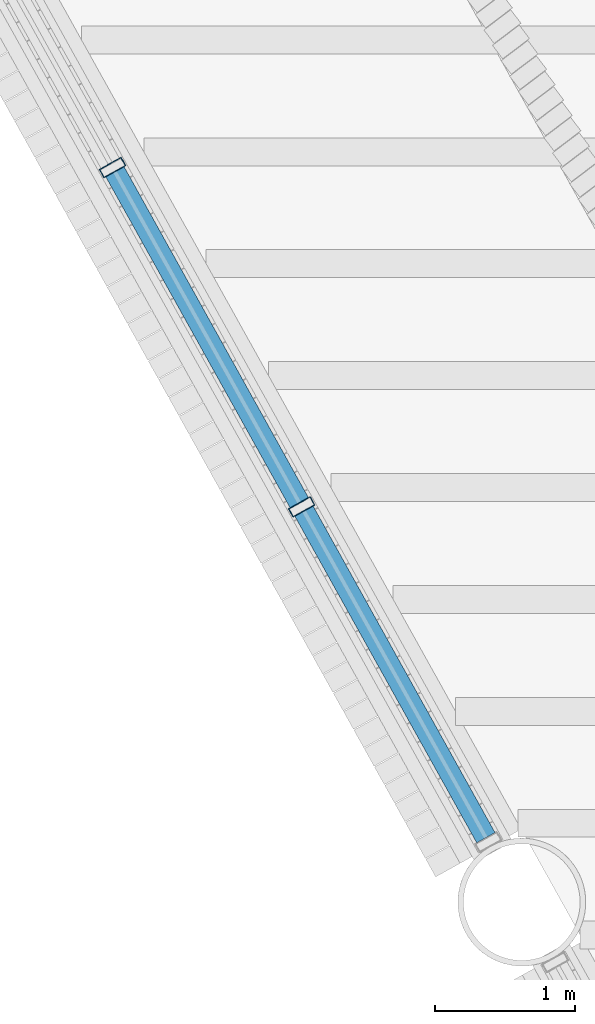
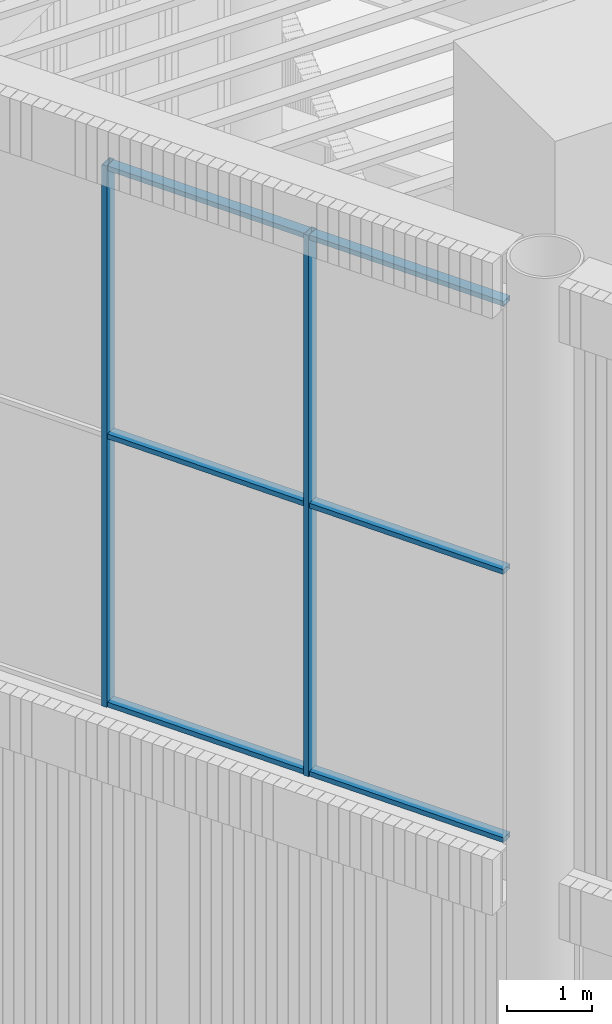
# One storey, part 13 of 117: 8 members, 1 element without a shape of its own.
"""IFC4 building model written with IfcOpenShell, lengths in metres."""

from ifc_helpers import new_model, si_unit, direction, frame, origin, origin_2d, place, context, subcontext, project, spatial, hollow_rectangle, extrude, material, layer, layer_set, material_profile, profile_set, type_object, element, aggregate, save


model = new_model("IFC4")

# Units and contexts
model_context = context("Model", 3, precision=1e-05, world=origin(), true_north=direction((0.0, 1.0)))
body_context = subcontext(model_context, "Body", "Model", "MODEL_VIEW")
ifc_project = project(units=[si_unit("LENGTHUNIT", "METRE"), si_unit("AREAUNIT", "SQUARE_METRE"), si_unit("VOLUMEUNIT", "CUBIC_METRE"), si_unit("PLANEANGLEUNIT", "RADIAN"), si_unit("MASSUNIT", "GRAM", prefix="KILO")], contexts=[model_context])

# Site, building, storey
site_placement = place(None, origin())
site = spatial("IfcSite", under=ifc_project, at=site_placement, CompositionType="ELEMENT")
building_placement = place(site_placement, origin())
building = spatial("IfcBuilding", under=site, at=building_placement, Name="Tarsis Ring Headquarters", CompositionType="ELEMENT")
storey_placement = place(building_placement, frame((0.0, 0.0, 403.60009765625)))
storey = spatial("IfcBuildingStorey", under=building, at=storey_placement, Name="L95", CompositionType="ELEMENT", Elevation=403.60009765625)

# Curtain wall, members
ifc_material_1 = material(Name="Aluminium curtain wall", Category="aluminium")
ifc_layer = layer(ifc_material_1, 0.179931640625)
ifc_layer_set = layer_set([ifc_layer], Name="Curtain wall crown glazing")
curtain_wall_type = type_object("IfcCurtainWallType", Name="Curtain wall crown glazing", PredefinedType="NOTDEFINED", material=ifc_layer_set)
curtain_wall_placement = place(storey_placement, origin())
curtain_wall = element("IfcCurtainWall", 1, at=curtain_wall_placement, inside=storey, type_object=curtain_wall_type, Name="Crown glazing U16", PredefinedType="NOTDEFINED")
ifc_material_2 = material(Name="Aluminium mullion", Category="aluminium")
ifc_material_profile_1 = material_profile(ifc_material_2, hollow_rectangle(XDim=0.179931640625, YDim=0.070068359375, WallThickness=0.0048828125, at=origin_2d()), Name="RHS 180x70x5")
ifc_profile_set_1 = profile_set([ifc_material_profile_1], Name="Aluminium mullion")
member_type_1 = type_object("IfcMemberType", Name="Crown glazing mullion RHS 180x70x5", PredefinedType="MULLION", material=ifc_profile_set_1)
member_1_placement = place(storey_placement, frame((-40.315673828125, -15.57666015625, 14.39990234375), z_axis=(0.0, 0.0, 1.0), x_axis=(0.873602436001, 0.48664030229, 0.0)))
member_1 = element("IfcMember", 2, at=member_1_placement, type_object=member_type_1, Name="CW-C mullion 4", PredefinedType="MULLION", context=body_context, shape_type="SweptSolid", body=[
    extrude(hollow_rectangle(XDim=0.179931640625, YDim=0.070068359375, WallThickness=0.0048828125, at=origin_2d()), origin(), (0.0, 0.0, 1.0), 7.800048828125),
])
member_2_placement = place(storey_placement, frame((-38.964111328125, -18.002685546875, 14.39990234375), z_axis=(0.0, 0.0, 1.0), x_axis=(0.873602436001, 0.48664030229, 0.0)))
member_2 = element("IfcMember", 3, at=member_2_placement, type_object=member_type_1, Name="CW-C mullion 5", PredefinedType="MULLION", context=body_context, shape_type="SweptSolid", body=[
    extrude(hollow_rectangle(XDim=0.179931640625, YDim=0.070068359375, WallThickness=0.0048828125, at=origin_2d()), origin(), (0.0, 0.0, 1.0), 7.800048828125),
])
ifc_material_3 = material(Name="Aluminium transom", Category="aluminium")
ifc_material_profile_2 = material_profile(ifc_material_3, hollow_rectangle(XDim=0.14990234375, YDim=0.070068359375, WallThickness=0.0048828125, at=origin_2d()), Name="RHS 150x70x5")
ifc_profile_set_2 = profile_set([ifc_material_profile_2], Name="Aluminium transom")
member_type_2 = type_object("IfcMemberType", Name="Crown glazing transom RHS 150x70x5", PredefinedType="USERDEFINED", material=ifc_profile_set_2)
member_3_placement = place(storey_placement, frame((-40.298583984375, -15.607177734375, 14.434814453125), z_axis=(0.486630386149, -0.873607959715, 0.0), x_axis=(0.873607959715, 0.486630386149, 0.0)))
member_3 = element("IfcMember", 4, at=member_3_placement, type_object=member_type_2, Name="CW-C transom 4.1", ObjectType="TRANSOM", PredefinedType="USERDEFINED", context=body_context, shape_type="SweptSolid", body=[
    extrude(hollow_rectangle(XDim=0.14990234375, YDim=0.070068359375, WallThickness=0.0048828125, at=origin_2d()), origin(), (0.0, 0.0, 1.0), 2.70703125),
])
member_4_placement = place(storey_placement, frame((-40.298583984375, -15.607177734375, 18.2998046875), z_axis=(0.486630386149, -0.873607959715, 0.0), x_axis=(0.873607959715, 0.486630386149, 0.0)))
member_4 = element("IfcMember", 5, at=member_4_placement, type_object=member_type_2, Name="CW-C transom 4.2", ObjectType="TRANSOM", PredefinedType="USERDEFINED", context=body_context, shape_type="SweptSolid", body=[
    extrude(hollow_rectangle(XDim=0.14990234375, YDim=0.070068359375, WallThickness=0.0048828125, at=origin_2d()), origin(), (0.0, 0.0, 1.0), 2.70703125),
])
member_5_placement = place(storey_placement, frame((-40.298583984375, -15.607177734375, 22.164794921875), z_axis=(0.486630386149, -0.873607959715, 0.0), x_axis=(0.873607959715, 0.486630386149, 0.0)))
member_5 = element("IfcMember", 6, at=member_5_placement, type_object=member_type_2, Name="CW-C transom 4.3", ObjectType="TRANSOM", PredefinedType="USERDEFINED", context=body_context, shape_type="SweptSolid", body=[
    extrude(hollow_rectangle(XDim=0.14990234375, YDim=0.070068359375, WallThickness=0.0048828125, at=origin_2d()), origin(), (0.0, 0.0, 1.0), 2.70703125),
])
member_6_placement = place(storey_placement, frame((-38.947021484375, -18.033447265625, 14.434814453125), z_axis=(0.486604544698, -0.873622353812, 0.0), x_axis=(0.873622353812, 0.486604544698, 0.0)))
member_6 = element("IfcMember", 7, at=member_6_placement, type_object=member_type_2, Name="CW-C transom 5.1", ObjectType="TRANSOM", PredefinedType="USERDEFINED", context=body_context, shape_type="SweptSolid", body=[
    extrude(hollow_rectangle(XDim=0.14990234375, YDim=0.070068359375, WallThickness=0.0048828125, at=origin_2d()), origin(), (0.0, 0.0, 1.0), 2.672119140625),
])
member_7_placement = place(storey_placement, frame((-38.947021484375, -18.033447265625, 18.2998046875), z_axis=(0.486604544698, -0.873622353812, 0.0), x_axis=(0.873622353812, 0.486604544698, 0.0)))
member_7 = element("IfcMember", 8, at=member_7_placement, type_object=member_type_2, Name="CW-C transom 5.2", ObjectType="TRANSOM", PredefinedType="USERDEFINED", context=body_context, shape_type="SweptSolid", body=[
    extrude(hollow_rectangle(XDim=0.14990234375, YDim=0.070068359375, WallThickness=0.0048828125, at=origin_2d()), origin(), (0.0, 0.0, 1.0), 2.672119140625),
])
member_8_placement = place(storey_placement, frame((-38.947021484375, -18.033447265625, 22.164794921875), z_axis=(0.486604544698, -0.873622353812, 0.0), x_axis=(0.873622353812, 0.486604544698, 0.0)))
member_8 = element("IfcMember", 9, at=member_8_placement, type_object=member_type_2, Name="CW-C transom 5.3", ObjectType="TRANSOM", PredefinedType="USERDEFINED", context=body_context, shape_type="SweptSolid", body=[
    extrude(hollow_rectangle(XDim=0.14990234375, YDim=0.070068359375, WallThickness=0.0048828125, at=origin_2d()), origin(), (0.0, 0.0, 1.0), 2.672119140625),
])
aggregate(curtain_wall, [member_1, member_2, member_3, member_4, member_5, member_6, member_7, member_8])

save(model, "model.ifc")
